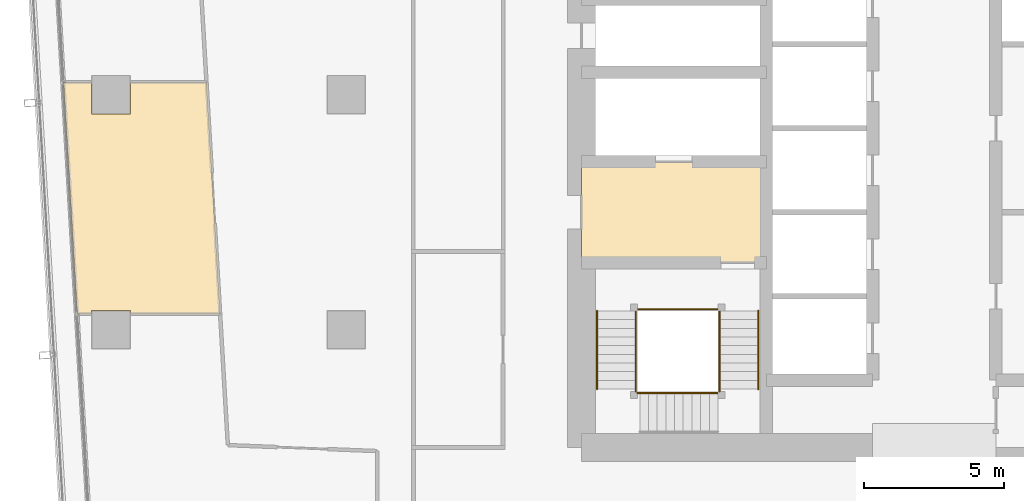
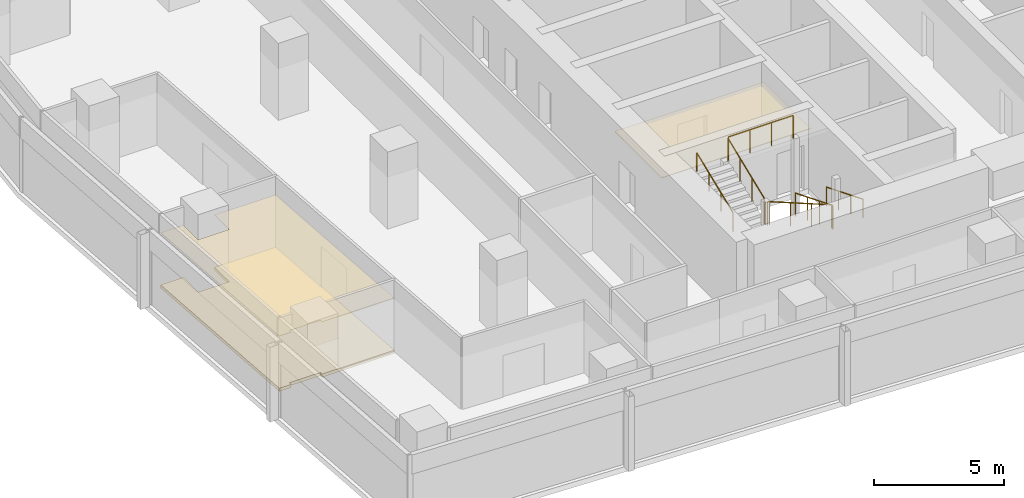
# One storey, part 32 of 38: 9 railings, 3 coverings.
"""IFC4 building model written with IfcOpenShell, lengths in metres."""

from ifc_helpers import new_model, si_unit, direction, frame, origin, origin_2d, place, context, subcontext, project, spatial, polyline, circle, outline, extrude, material, layer, layer_set, type_object, element, save


model = new_model("IFC4")

# Units and contexts
model_context = context("Model", 3, precision=1e-05, world=origin(), true_north=direction((0.0, 1.0)))
body_context = subcontext(model_context, "Body", "Model", "MODEL_VIEW")
ifc_project = project(units=[si_unit("LENGTHUNIT", "METRE"), si_unit("AREAUNIT", "SQUARE_METRE"), si_unit("VOLUMEUNIT", "CUBIC_METRE"), si_unit("PLANEANGLEUNIT", "RADIAN"), si_unit("MASSUNIT", "GRAM", prefix="KILO")], contexts=[model_context])

# Site, building, storey
site_placement = place(None, origin())
site = spatial("IfcSite", under=ifc_project, at=site_placement, CompositionType="ELEMENT")
building_placement = place(site_placement, origin())
building = spatial("IfcBuilding", under=site, at=building_placement, Name="Rekha Terrace Tower", CompositionType="ELEMENT")
storey_placement = place(building_placement, frame((0.0, 0.0, 195.199951171875)))
storey = spatial("IfcBuildingStorey", under=building, at=storey_placement, Name="L49", CompositionType="ELEMENT", Elevation=195.199951171875)

# Coverings
ifc_material_1 = material(Name="Mineral fibre tile in exposed grid", Category="finish")
ifc_layer_1 = layer(ifc_material_1, 0.02001953125)
ifc_layer_set_1 = layer_set([ifc_layer_1], Name="Mineral fibre tile in exposed grid")
covering_type_1 = type_object("IfcCoveringType", Name="CL1 600x1200 office grid ceiling", PredefinedType="CEILING", material=ifc_layer_set_1)
covering_1_placement = place(storey_placement, frame((0.0, 0.0, 2.580078125)))
element("IfcCovering", 1, at=covering_1_placement, inside=storey, type_object=covering_type_1, Name="Ceiling L49-15", PredefinedType="CEILING", context=body_context, shape_type="SweptSolid", body=[
    extrude(outline(polyline([(7.7099609375, 34.0400390625), (6.699951171875, 34.0400390625), (7.18701171875, 25.76708984375), (7.7099609375, 25.76708984375), (7.7099609375, 25.889892578125), (9.090087890625, 25.889892578125), (9.090087890625, 25.76708984375), (12.2958984375, 25.76708984375), (11.80908203125, 34.0400390625), (9.090087890625, 34.0400390625), (9.090087890625, 32.909912109375), (7.7099609375, 32.909912109375), (7.7099609375, 34.0400390625)])), origin(), (0.0, 0.0, 1.0), 0.02001953125),
])
ifc_material_2 = material(Name="Powder-coated aluminium pan", Category="aluminium")
ifc_layer_2 = layer(ifc_material_2, 0.030029296875)
ifc_layer_set_2 = layer_set([ifc_layer_2], Name="Powder-coated aluminium pan")
covering_type_2 = type_object("IfcCoveringType", Name="CL3 300x1200 metal pan ceiling", PredefinedType="CEILING", material=ifc_layer_set_2)
covering_2_placement = place(storey_placement, frame((0.0, 0.0, 2.570068359375)))
element("IfcCovering", 2, at=covering_2_placement, inside=storey, type_object=covering_type_2, Name="Ceiling L49-FLB1", PredefinedType="CEILING", context=body_context, shape_type="SweptSolid", body=[
    extrude(outline(polyline([(31.800048828125, 31.199951171875), (25.199951171875, 31.199951171875), (25.199951171875, 27.60009765625), (31.800048828125, 27.60009765625), (31.800048828125, 31.199951171875)])), origin(), (0.0, 0.0, 1.0), 0.030029296875),
])

# Railings
ifc_material_3 = material(Name="Stainless steel balustrade", Category="steel")
railing_type_1 = type_object("IfcRailingType", Name="GR1 1100 stair guard", PredefinedType="GUARDRAIL", material=ifc_material_3)
railing_1_placement = place(storey_placement, frame((30.135009765625, 25.875, 0.125)))
element("IfcRailing", 3, at=railing_1_placement, inside=storey, type_object=railing_type_1, Name="Guard ST1 L49 flight 1", PredefinedType="GUARDRAIL", context=body_context, shape_type="SweptSolid", body=[
    extrude(circle(Radius=0.02392578125, at=origin_2d()), frame((0.0, 0.0, 1.076171875), z_axis=(0.0, -0.927443287984, 0.373963831907), x_axis=(1.0, 0.0, 0.0)), (0.0, 0.0, 1.0), 3.00830078125),
    extrude(circle(Radius=0.02099609375, at=origin_2d()), origin(), (0.0, 0.0, 1.0), 1.052001953125),
    extrude(circle(Radius=0.02099609375, at=origin_2d()), frame((0.0, -0.929931640625, 0.375)), (0.0, 0.0, 1.0), 1.052001953125),
    extrude(circle(Radius=0.02099609375, at=origin_2d()), frame((0.0, -1.860107421875, 0.75)), (0.0, 0.0, 1.0), 1.052001953125),
    extrude(circle(Radius=0.02099609375, at=origin_2d()), frame((0.0, -2.7900390625, 1.125)), (0.0, 0.0, 1.0), 1.052001953125),
])
railing_2_placement = place(storey_placement, frame((30.074951171875, 22.93994140625, 1.375)))
element("IfcRailing", 4, at=railing_2_placement, inside=storey, type_object=railing_type_1, Name="Guard ST1 L49 flight 2", PredefinedType="GUARDRAIL", context=body_context, shape_type="SweptSolid", body=[
    extrude(circle(Radius=0.02392578125, at=origin_2d()), frame((0.0, 0.0, 1.076171875), z_axis=(-0.927443287984, 0.0, 0.373963831907), x_axis=(0.0, -1.0, 0.0)), (0.0, 0.0, 1.0), 3.00830078125),
    extrude(circle(Radius=0.02099609375, at=origin_2d()), origin(), (0.0, 0.0, 1.0), 1.052001953125),
    extrude(circle(Radius=0.02099609375, at=origin_2d()), frame((-0.929931640625, 0.0, 0.375)), (0.0, 0.0, 1.0), 1.052001953125),
    extrude(circle(Radius=0.02099609375, at=origin_2d()), frame((-1.860107421875, 0.0, 0.75)), (0.0, 0.0, 1.0), 1.052001953125),
    extrude(circle(Radius=0.02099609375, at=origin_2d()), frame((-2.7900390625, 0.0, 1.125)), (0.0, 0.0, 1.0), 1.052001953125),
])
railing_3_placement = place(storey_placement, frame((27.139892578125, 23.0849609375, 2.625)))
element("IfcRailing", 5, at=railing_3_placement, inside=storey, type_object=railing_type_1, Name="Guard ST1 L49 flight 3", PredefinedType="GUARDRAIL", context=body_context, shape_type="SweptSolid", body=[
    extrude(circle(Radius=0.02392578125, at=origin_2d()), frame((0.0, 0.0, 1.076171875), z_axis=(0.0, 0.927443287984, 0.373963831907), x_axis=(-1.0, 0.0, 0.0)), (0.0, 0.0, 1.0), 3.00830078125),
    extrude(circle(Radius=0.02099609375, at=origin_2d()), origin(), (0.0, 0.0, 1.0), 1.052001953125),
    extrude(circle(Radius=0.02099609375, at=origin_2d()), frame((0.0, 0.929931640625, 0.375)), (0.0, 0.0, 1.0), 1.052001953125),
    extrude(circle(Radius=0.02099609375, at=origin_2d()), frame((0.0, 1.860107421875, 0.75)), (0.0, 0.0, 1.0), 1.052001953125),
    extrude(circle(Radius=0.02099609375, at=origin_2d()), frame((0.0, 2.7900390625, 1.125)), (0.0, 0.0, 1.0), 1.052001953125),
])
railing_4_placement = place(storey_placement, frame((30.135009765625, 23.0849609375, 1.25)))
element("IfcRailing", 6, at=railing_4_placement, inside=storey, type_object=railing_type_1, Name="Guard ST1 L49 landing 1", PredefinedType="GUARDRAIL", context=body_context, shape_type="SweptSolid", body=[
    extrude(circle(Radius=0.02392578125, at=origin_2d()), frame((0.0, 0.0, 1.076171875), z_axis=(0.0, -1.0, 0.0), x_axis=(1.0, 0.0, 0.0)), (0.0, 0.0, 1.0), 0.0849609375),
    extrude(circle(Radius=0.02099609375, at=origin_2d()), origin(), (0.0, 0.0, 1.0), 1.052001953125),
    extrude(circle(Radius=0.02099609375, at=origin_2d()), frame((0.0, -0.0849609375, 0.0)), (0.0, 0.0, 1.0), 1.052001953125),
])
railing_5_placement = place(storey_placement, frame((27.284912109375, 22.93994140625, 2.5)))
element("IfcRailing", 7, at=railing_5_placement, inside=storey, type_object=railing_type_1, Name="Guard ST1 L49 landing 2", PredefinedType="GUARDRAIL", context=body_context, shape_type="SweptSolid", body=[
    extrude(circle(Radius=0.02392578125, at=origin_2d()), frame((0.0, 0.0, 1.076171875), z_axis=(-1.0, 0.0, 0.0), x_axis=(0.0, -1.0, 0.0)), (0.0, 0.0, 1.0), 0.0849609375),
    extrude(circle(Radius=0.02099609375, at=origin_2d()), origin(), (0.0, 0.0, 1.0), 1.052001953125),
    extrude(circle(Radius=0.02099609375, at=origin_2d()), frame((-0.0849609375, 0.0, 0.0)), (0.0, 0.0, 1.0), 1.052001953125),
])
railing_6_placement = place(storey_placement, frame((27.139892578125, 23.0849609375, 2.5)))
element("IfcRailing", 8, at=railing_6_placement, inside=storey, type_object=railing_type_1, Name="Guard ST1 L49 landing 3", PredefinedType="GUARDRAIL", context=body_context, shape_type="SweptSolid", body=[
    extrude(circle(Radius=0.02392578125, at=origin_2d()), frame((0.0, 0.0, 1.076171875), z_axis=(0.0, -1.0, 0.0), x_axis=(1.0, 0.0, 0.0)), (0.0, 0.0, 1.0), 0.0849609375),
    extrude(circle(Radius=0.02099609375, at=origin_2d()), origin(), (0.0, 0.0, 1.0), 1.052001953125),
    extrude(circle(Radius=0.02099609375, at=origin_2d()), frame((0.0, -0.0849609375, 0.0)), (0.0, 0.0, 1.0), 1.052001953125),
])
railing_7_placement = place(storey_placement, frame((30.074951171875, 25.93505859375, 3.75)))
element("IfcRailing", 9, at=railing_7_placement, inside=storey, type_object=railing_type_1, Name="Guard ST1 L49 landing 4", PredefinedType="GUARDRAIL", context=body_context, shape_type="SweptSolid", body=[
    extrude(circle(Radius=0.02392578125, at=origin_2d()), frame((0.0, 0.0, 1.076171875), z_axis=(-1.0, 0.0, 0.0), x_axis=(0.0, -1.0, 0.0)), (0.0, 0.0, 1.0), 2.875),
    extrude(circle(Radius=0.02099609375, at=origin_2d()), origin(), (0.0, 0.0, 1.0), 1.052001953125),
    extrude(circle(Radius=0.02099609375, at=origin_2d()), frame((-0.958251953125, 0.0, 0.0)), (0.0, 0.0, 1.0), 1.052001953125),
    extrude(circle(Radius=0.02099609375, at=origin_2d()), frame((-1.916748046875, 0.0, 0.0)), (0.0, 0.0, 1.0), 1.052001953125),
    extrude(circle(Radius=0.02099609375, at=origin_2d()), frame((-2.875, 0.0, 0.0)), (0.0, 0.0, 1.0), 1.052001953125),
])
ifc_material_4 = material(Name="Stainless steel tube", Category="steel")
railing_type_2 = type_object("IfcRailingType", Name="HR1 900 stair handrail", PredefinedType="HANDRAIL", material=ifc_material_4)
railing_8_placement = place(storey_placement, frame((31.514892578125, 25.875, 0.125)))
element("IfcRailing", 10, at=railing_8_placement, inside=storey, type_object=railing_type_2, Name="Handrail ST1 L49 flight 1", PredefinedType="HANDRAIL", context=body_context, shape_type="SweptSolid", body=[
    extrude(circle(Radius=0.02392578125, at=origin_2d()), frame((0.0, 0.0, 0.8759765625), z_axis=(0.0, -0.927443287984, 0.373963831907), x_axis=(1.0, 0.0, 0.0)), (0.0, 0.0, 1.0), 3.00830078125),
    extrude(circle(Radius=0.02099609375, at=origin_2d()), origin(), (0.0, 0.0, 1.0), 0.851806640625),
    extrude(circle(Radius=0.02099609375, at=origin_2d()), frame((0.0, -0.929931640625, 0.375)), (0.0, 0.0, 1.0), 0.851806640625),
    extrude(circle(Radius=0.02099609375, at=origin_2d()), frame((0.0, -1.860107421875, 0.75)), (0.0, 0.0, 1.0), 0.851806640625),
    extrude(circle(Radius=0.02099609375, at=origin_2d()), frame((0.0, -2.7900390625, 1.125)), (0.0, 0.0, 1.0), 0.851806640625),
])
railing_9_placement = place(storey_placement, frame((25.760009765625, 23.0849609375, 2.625)))
element("IfcRailing", 11, at=railing_9_placement, inside=storey, type_object=railing_type_2, Name="Handrail ST1 L49 flight 3", PredefinedType="HANDRAIL", context=body_context, shape_type="SweptSolid", body=[
    extrude(circle(Radius=0.02392578125, at=origin_2d()), frame((0.0, 0.0, 0.8759765625), z_axis=(0.0, 0.927443287984, 0.373963831907), x_axis=(-1.0, 0.0, 0.0)), (0.0, 0.0, 1.0), 3.00830078125),
    extrude(circle(Radius=0.02099609375, at=origin_2d()), origin(), (0.0, 0.0, 1.0), 0.851806640625),
    extrude(circle(Radius=0.02099609375, at=origin_2d()), frame((0.0, 0.929931640625, 0.375)), (0.0, 0.0, 1.0), 0.851806640625),
    extrude(circle(Radius=0.02099609375, at=origin_2d()), frame((0.0, 1.860107421875, 0.75)), (0.0, 0.0, 1.0), 0.851806640625),
    extrude(circle(Radius=0.02099609375, at=origin_2d()), frame((0.0, 2.7900390625, 1.125)), (0.0, 0.0, 1.0), 0.851806640625),
])

# Covering
ifc_material_5 = material(Name="Calcium sulphate panels on steel pedestals", Category="steel")
ifc_layer_3 = layer(ifc_material_5, 0.14990234375)
ifc_layer_set_3 = layer_set([ifc_layer_3], Name="Calcium sulphate panels on steel pedestals")
covering_type_3 = type_object("IfcCoveringType", Name="RF1 150 raised access floor", PredefinedType="FLOORING", material=ifc_layer_set_3)
covering_3_placement = place(storey_placement, origin())
element("IfcCovering", 12, at=covering_3_placement, inside=storey, type_object=covering_type_3, Name="Raised floor L49-15", PredefinedType="FLOORING", context=body_context, shape_type="SweptSolid", body=[
    extrude(outline(polyline([(7.7099609375, 34.0400390625), (6.699951171875, 34.0400390625), (7.18701171875, 25.76708984375), (7.7099609375, 25.76708984375), (7.7099609375, 25.889892578125), (9.090087890625, 25.889892578125), (9.090087890625, 25.76708984375), (12.2958984375, 25.76708984375), (11.80908203125, 34.0400390625), (9.090087890625, 34.0400390625), (9.090087890625, 32.909912109375), (7.7099609375, 32.909912109375), (7.7099609375, 34.0400390625)])), origin(), (0.0, 0.0, 1.0), 0.150146484375),
])

save(model, "model.ifc")
